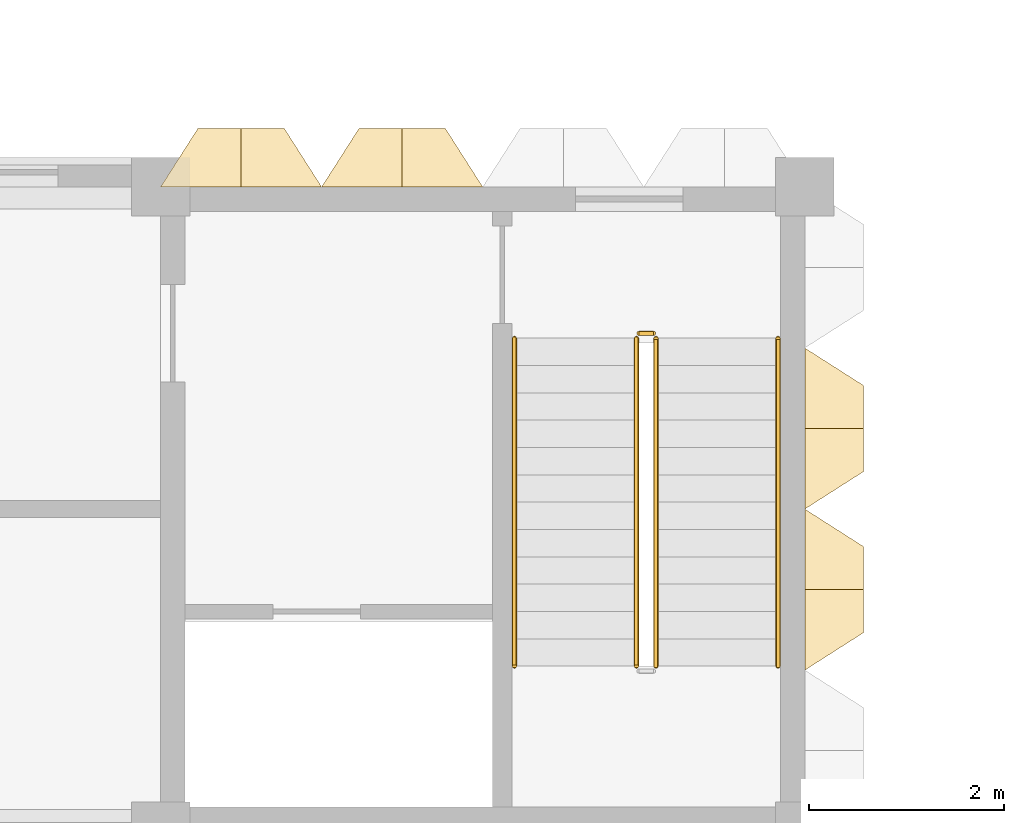
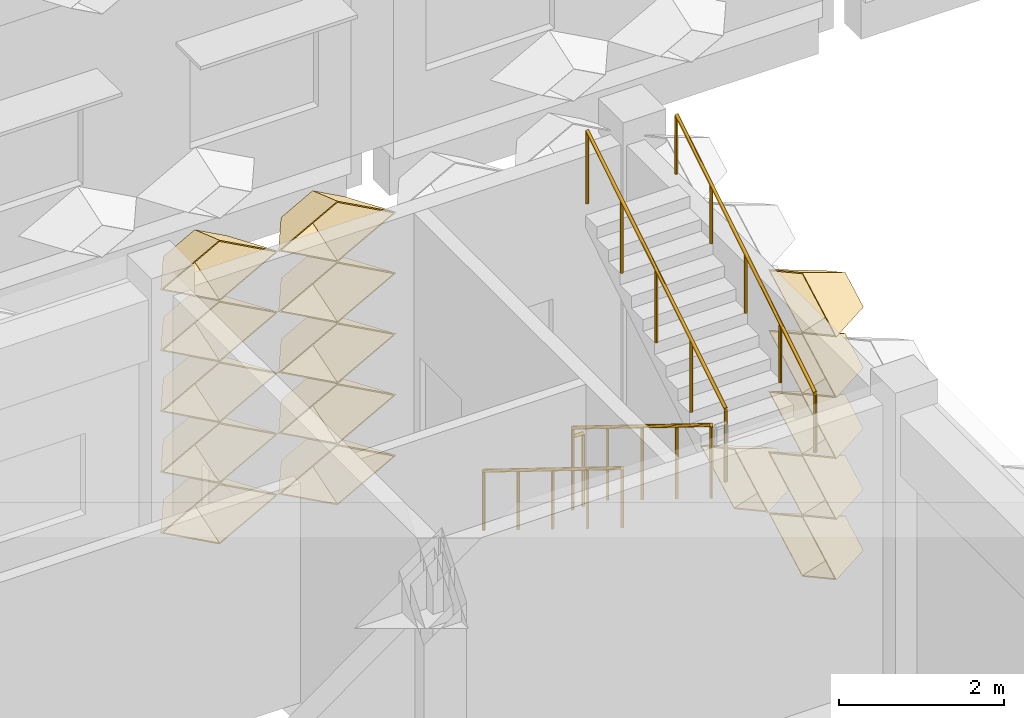
# One storey, part 70 of 87: 16 coverings, 5 railings.
"""IFC4 building model written with IfcOpenShell, lengths in metres."""

from ifc_helpers import new_model, entity, si_unit, direction, frame, origin, origin_2d, place, context, subcontext, project, spatial, circle, extrude, material, layer, layer_set, type_object, element, save


model = new_model("IFC4")

# Units and contexts
model_context = context("Model", 3, precision=1e-05, world=origin(), true_north=direction((0.0, 1.0)))
body_context = subcontext(model_context, "Body", "Model", "MODEL_VIEW")
ifc_project = project(units=[si_unit("LENGTHUNIT", "METRE"), si_unit("AREAUNIT", "SQUARE_METRE"), si_unit("VOLUMEUNIT", "CUBIC_METRE"), si_unit("PLANEANGLEUNIT", "RADIAN"), si_unit("MASSUNIT", "GRAM", prefix="KILO")], contexts=[model_context])

# Site, building, storey
site_placement = place(None, origin())
site = spatial("IfcSite", under=ifc_project, at=site_placement, CompositionType="ELEMENT")
building_placement = place(site_placement, origin())
building = spatial("IfcBuilding", under=site, at=building_placement, Name="Lantern Court Research Institute", CompositionType="ELEMENT")
storey_placement = place(building_placement, frame((0.0, 0.0, 5.39990234375)))
storey = spatial("IfcBuildingStorey", under=building, at=storey_placement, Name="L01", CompositionType="ELEMENT", Elevation=5.39990234375)

# Coverings
ifc_material_1 = material(Name="Anodised aluminium", Category="aluminium")
ifc_layer = layer(ifc_material_1, 0.01611328125)
ifc_layer_set = layer_set([ifc_layer], Name="Anodised aluminium")
covering_type = type_object("IfcCoveringType", Name="Fin cassette 1650 x 900 x 600 aluminium", PredefinedType="CLADDING", material=ifc_layer_set)
covering_1_placement = place(storey_placement, frame((26.39990234375, 71.77490234375, 0.4501953125), z_axis=(1.0, 0.0, 0.0), x_axis=(0.0, 1.0, 0.0)))
cartesian_point_1 = entity("IfcCartesianPoint", [0.824951171875, 0.0])
cartesian_point_2 = entity("IfcCartesianPoint", [0.79150390625, 0.0])
cartesian_point_3 = entity("IfcCartesianPoint", [0.44189453125, 0.0])
cartesian_point_4 = entity("IfcCartesianPoint", [0.43359375, 0.0])
element("IfcCovering", 1, at=covering_1_placement, inside=storey, type_object=covering_type, Name="Fin cassette V3E-L01 1.44", PredefinedType="CLADDING", context=body_context, shape_type="SweptSolid", body=[
    entity("IfcExtrudedAreaSolidTapered", entity("IfcArbitraryProfileDefWithVoids", "AREA", None, entity("IfcPolyline", [cartesian_point_1, entity("IfcCartesianPoint", [0.0, 0.449951171875]), entity("IfcCartesianPoint", [-0.824951171875, 0.0]), entity("IfcCartesianPoint", [0.0, -0.449951171875]), cartesian_point_1]), [entity("IfcPolyline", [cartesian_point_2, entity("IfcCartesianPoint", [0.0, 0.431884765625]), entity("IfcCartesianPoint", [-0.79150390625, 0.0]), entity("IfcCartesianPoint", [0.0, -0.431884765625]), cartesian_point_2])]), entity("IfcAxis2Placement3D", entity("IfcCartesianPoint", [0.0, 0.0, 0.0])), entity("IfcDirection", [0.0, 0.0, 1.0]), 0.60009765625, entity("IfcArbitraryProfileDefWithVoids", "AREA", None, entity("IfcPolyline", [cartesian_point_3, entity("IfcCartesianPoint", [0.0, 0.240966796875]), entity("IfcCartesianPoint", [-0.44189453125, 0.0]), entity("IfcCartesianPoint", [0.0, -0.240966796875]), cartesian_point_3]), [entity("IfcPolyline", [cartesian_point_4, entity("IfcCartesianPoint", [0.0, 0.236572265625]), entity("IfcCartesianPoint", [-0.43359375, 0.0]), entity("IfcCartesianPoint", [0.0, -0.236572265625]), cartesian_point_4])])),
])
covering_2_placement = place(storey_placement, frame((26.39990234375, 73.425048828125, 0.4501953125), z_axis=(1.0, 0.0, 0.0), x_axis=(0.0, 1.0, 0.0)))
cartesian_point_5 = entity("IfcCartesianPoint", [0.824951171875, 0.0])
cartesian_point_6 = entity("IfcCartesianPoint", [0.79150390625, 0.0])
cartesian_point_7 = entity("IfcCartesianPoint", [0.44189453125, 0.0])
cartesian_point_8 = entity("IfcCartesianPoint", [0.43359375, 0.0])
element("IfcCovering", 2, at=covering_2_placement, inside=storey, type_object=covering_type, Name="Fin cassette V3E-L01 1.45", PredefinedType="CLADDING", context=body_context, shape_type="SweptSolid", body=[
    entity("IfcExtrudedAreaSolidTapered", entity("IfcArbitraryProfileDefWithVoids", "AREA", None, entity("IfcPolyline", [cartesian_point_5, entity("IfcCartesianPoint", [0.0, 0.449951171875]), entity("IfcCartesianPoint", [-0.824951171875, 0.0]), entity("IfcCartesianPoint", [0.0, -0.449951171875]), cartesian_point_5]), [entity("IfcPolyline", [cartesian_point_6, entity("IfcCartesianPoint", [0.0, 0.431884765625]), entity("IfcCartesianPoint", [-0.79150390625, 0.0]), entity("IfcCartesianPoint", [0.0, -0.431884765625]), cartesian_point_6])]), entity("IfcAxis2Placement3D", entity("IfcCartesianPoint", [0.0, 0.0, 0.0])), entity("IfcDirection", [0.0, 0.0, 1.0]), 0.60009765625, entity("IfcArbitraryProfileDefWithVoids", "AREA", None, entity("IfcPolyline", [cartesian_point_7, entity("IfcCartesianPoint", [0.0, 0.240966796875]), entity("IfcCartesianPoint", [-0.44189453125, 0.0]), entity("IfcCartesianPoint", [0.0, -0.240966796875]), cartesian_point_7]), [entity("IfcPolyline", [cartesian_point_8, entity("IfcCartesianPoint", [0.0, 0.236572265625]), entity("IfcCartesianPoint", [-0.43359375, 0.0]), entity("IfcCartesianPoint", [0.0, -0.236572265625]), cartesian_point_8])])),
])
covering_3_placement = place(storey_placement, frame((26.39990234375, 71.77490234375, 1.35009765625), z_axis=(1.0, 0.0, 0.0), x_axis=(0.0, 1.0, 0.0)))
cartesian_point_9 = entity("IfcCartesianPoint", [0.824951171875, 0.0])
cartesian_point_10 = entity("IfcCartesianPoint", [0.79150390625, 0.0])
cartesian_point_11 = entity("IfcCartesianPoint", [0.44189453125, 0.0])
cartesian_point_12 = entity("IfcCartesianPoint", [0.43359375, 0.0])
element("IfcCovering", 3, at=covering_3_placement, inside=storey, type_object=covering_type, Name="Fin cassette V3E-L01 2.44", PredefinedType="CLADDING", context=body_context, shape_type="SweptSolid", body=[
    entity("IfcExtrudedAreaSolidTapered", entity("IfcArbitraryProfileDefWithVoids", "AREA", None, entity("IfcPolyline", [cartesian_point_9, entity("IfcCartesianPoint", [0.0, 0.449951171875]), entity("IfcCartesianPoint", [-0.824951171875, 0.0]), entity("IfcCartesianPoint", [0.0, -0.449951171875]), cartesian_point_9]), [entity("IfcPolyline", [cartesian_point_10, entity("IfcCartesianPoint", [0.0, 0.431884765625]), entity("IfcCartesianPoint", [-0.79150390625, 0.0]), entity("IfcCartesianPoint", [0.0, -0.431884765625]), cartesian_point_10])]), entity("IfcAxis2Placement3D", entity("IfcCartesianPoint", [0.0, 0.0, 0.0])), entity("IfcDirection", [0.0, 0.0, 1.0]), 0.60009765625, entity("IfcArbitraryProfileDefWithVoids", "AREA", None, entity("IfcPolyline", [cartesian_point_11, entity("IfcCartesianPoint", [0.0, 0.240966796875]), entity("IfcCartesianPoint", [-0.44189453125, 0.0]), entity("IfcCartesianPoint", [0.0, -0.240966796875]), cartesian_point_11]), [entity("IfcPolyline", [cartesian_point_12, entity("IfcCartesianPoint", [0.0, 0.236572265625]), entity("IfcCartesianPoint", [-0.43359375, 0.0]), entity("IfcCartesianPoint", [0.0, -0.236572265625]), cartesian_point_12])])),
])
covering_4_placement = place(storey_placement, frame((26.39990234375, 71.77490234375, 2.25), z_axis=(1.0, 0.0, 0.0), x_axis=(0.0, 1.0, 0.0)))
cartesian_point_13 = entity("IfcCartesianPoint", [0.824951171875, 0.0])
cartesian_point_14 = entity("IfcCartesianPoint", [0.79150390625, 0.0])
cartesian_point_15 = entity("IfcCartesianPoint", [0.44189453125, 0.0])
cartesian_point_16 = entity("IfcCartesianPoint", [0.43359375, 0.0])
element("IfcCovering", 4, at=covering_4_placement, inside=storey, type_object=covering_type, Name="Fin cassette V3E-L01 3.44", PredefinedType="CLADDING", context=body_context, shape_type="SweptSolid", body=[
    entity("IfcExtrudedAreaSolidTapered", entity("IfcArbitraryProfileDefWithVoids", "AREA", None, entity("IfcPolyline", [cartesian_point_13, entity("IfcCartesianPoint", [0.0, 0.449951171875]), entity("IfcCartesianPoint", [-0.824951171875, 0.0]), entity("IfcCartesianPoint", [0.0, -0.449951171875]), cartesian_point_13]), [entity("IfcPolyline", [cartesian_point_14, entity("IfcCartesianPoint", [0.0, 0.431884765625]), entity("IfcCartesianPoint", [-0.79150390625, 0.0]), entity("IfcCartesianPoint", [0.0, -0.431884765625]), cartesian_point_14])]), entity("IfcAxis2Placement3D", entity("IfcCartesianPoint", [0.0, 0.0, 0.0])), entity("IfcDirection", [0.0, 0.0, 1.0]), 0.60009765625, entity("IfcArbitraryProfileDefWithVoids", "AREA", None, entity("IfcPolyline", [cartesian_point_15, entity("IfcCartesianPoint", [0.0, 0.240966796875]), entity("IfcCartesianPoint", [-0.44189453125, 0.0]), entity("IfcCartesianPoint", [0.0, -0.240966796875]), cartesian_point_15]), [entity("IfcPolyline", [cartesian_point_16, entity("IfcCartesianPoint", [0.0, 0.236572265625]), entity("IfcCartesianPoint", [-0.43359375, 0.0]), entity("IfcCartesianPoint", [0.0, -0.236572265625]), cartesian_point_16])])),
])
covering_5_placement = place(storey_placement, frame((26.39990234375, 71.77490234375, 3.150146484375), z_axis=(1.0, 0.0, 0.0), x_axis=(0.0, 1.0, 0.0)))
cartesian_point_17 = entity("IfcCartesianPoint", [0.824951171875, 0.0])
cartesian_point_18 = entity("IfcCartesianPoint", [0.79150390625, 0.0])
cartesian_point_19 = entity("IfcCartesianPoint", [0.44189453125, 0.0])
cartesian_point_20 = entity("IfcCartesianPoint", [0.43359375, 0.0])
element("IfcCovering", 5, at=covering_5_placement, inside=storey, type_object=covering_type, Name="Fin cassette V3E-L01 4.44", PredefinedType="CLADDING", context=body_context, shape_type="SweptSolid", body=[
    entity("IfcExtrudedAreaSolidTapered", entity("IfcArbitraryProfileDefWithVoids", "AREA", None, entity("IfcPolyline", [cartesian_point_17, entity("IfcCartesianPoint", [0.0, 0.449951171875]), entity("IfcCartesianPoint", [-0.824951171875, 0.0]), entity("IfcCartesianPoint", [0.0, -0.449951171875]), cartesian_point_17]), [entity("IfcPolyline", [cartesian_point_18, entity("IfcCartesianPoint", [0.0, 0.431884765625]), entity("IfcCartesianPoint", [-0.79150390625, 0.0]), entity("IfcCartesianPoint", [0.0, -0.431884765625]), cartesian_point_18])]), entity("IfcAxis2Placement3D", entity("IfcCartesianPoint", [0.0, 0.0, 0.0])), entity("IfcDirection", [0.0, 0.0, 1.0]), 0.60009765625, entity("IfcArbitraryProfileDefWithVoids", "AREA", None, entity("IfcPolyline", [cartesian_point_19, entity("IfcCartesianPoint", [0.0, 0.240966796875]), entity("IfcCartesianPoint", [-0.44189453125, 0.0]), entity("IfcCartesianPoint", [0.0, -0.240966796875]), cartesian_point_19]), [entity("IfcPolyline", [cartesian_point_20, entity("IfcCartesianPoint", [0.0, 0.236572265625]), entity("IfcCartesianPoint", [-0.43359375, 0.0]), entity("IfcCartesianPoint", [0.0, -0.236572265625]), cartesian_point_20])])),
])
covering_6_placement = place(storey_placement, frame((26.39990234375, 71.77490234375, 4.050048828125), z_axis=(1.0, 0.0, 0.0), x_axis=(0.0, 1.0, 0.0)))
cartesian_point_21 = entity("IfcCartesianPoint", [0.824951171875, 0.0])
cartesian_point_22 = entity("IfcCartesianPoint", [0.79150390625, 0.0])
cartesian_point_23 = entity("IfcCartesianPoint", [0.44189453125, 0.0])
cartesian_point_24 = entity("IfcCartesianPoint", [0.43359375, 0.0])
element("IfcCovering", 6, at=covering_6_placement, inside=storey, type_object=covering_type, Name="Fin cassette V3E-L01 5.44", PredefinedType="CLADDING", context=body_context, shape_type="SweptSolid", body=[
    entity("IfcExtrudedAreaSolidTapered", entity("IfcArbitraryProfileDefWithVoids", "AREA", None, entity("IfcPolyline", [cartesian_point_21, entity("IfcCartesianPoint", [0.0, 0.449951171875]), entity("IfcCartesianPoint", [-0.824951171875, 0.0]), entity("IfcCartesianPoint", [0.0, -0.449951171875]), cartesian_point_21]), [entity("IfcPolyline", [cartesian_point_22, entity("IfcCartesianPoint", [0.0, 0.431884765625]), entity("IfcCartesianPoint", [-0.79150390625, 0.0]), entity("IfcCartesianPoint", [0.0, -0.431884765625]), cartesian_point_22])]), entity("IfcAxis2Placement3D", entity("IfcCartesianPoint", [0.0, 0.0, 0.0])), entity("IfcDirection", [0.0, 0.0, 1.0]), 0.60009765625, entity("IfcArbitraryProfileDefWithVoids", "AREA", None, entity("IfcPolyline", [cartesian_point_23, entity("IfcCartesianPoint", [0.0, 0.240966796875]), entity("IfcCartesianPoint", [-0.44189453125, 0.0]), entity("IfcCartesianPoint", [0.0, -0.240966796875]), cartesian_point_23]), [entity("IfcPolyline", [cartesian_point_24, entity("IfcCartesianPoint", [0.0, 0.236572265625]), entity("IfcCartesianPoint", [-0.43359375, 0.0]), entity("IfcCartesianPoint", [0.0, -0.236572265625]), cartesian_point_24])])),
])
covering_7_placement = place(storey_placement, frame((20.625, 75.89990234375, 0.4501953125), z_axis=(0.0, 1.0, 0.0), x_axis=(-1.0, 0.0, 0.0)))
cartesian_point_25 = entity("IfcCartesianPoint", [0.824951171875, 0.0])
cartesian_point_26 = entity("IfcCartesianPoint", [0.79150390625, 0.0])
cartesian_point_27 = entity("IfcCartesianPoint", [0.44189453125, 0.0])
cartesian_point_28 = entity("IfcCartesianPoint", [0.43359375, 0.0])
element("IfcCovering", 7, at=covering_7_placement, inside=storey, type_object=covering_type, Name="Fin cassette V3N-L01 1.13", PredefinedType="CLADDING", context=body_context, shape_type="SweptSolid", body=[
    entity("IfcExtrudedAreaSolidTapered", entity("IfcArbitraryProfileDefWithVoids", "AREA", None, entity("IfcPolyline", [cartesian_point_25, entity("IfcCartesianPoint", [0.0, 0.449951171875]), entity("IfcCartesianPoint", [-0.824951171875, 0.0]), entity("IfcCartesianPoint", [0.0, -0.449951171875]), cartesian_point_25]), [entity("IfcPolyline", [cartesian_point_26, entity("IfcCartesianPoint", [0.0, 0.431884765625]), entity("IfcCartesianPoint", [-0.79150390625, 0.0]), entity("IfcCartesianPoint", [0.0, -0.431884765625]), cartesian_point_26])]), entity("IfcAxis2Placement3D", entity("IfcCartesianPoint", [0.0, 0.0, 0.0])), entity("IfcDirection", [0.0, 0.0, 1.0]), 0.60009765625, entity("IfcArbitraryProfileDefWithVoids", "AREA", None, entity("IfcPolyline", [cartesian_point_27, entity("IfcCartesianPoint", [0.0, 0.240966796875]), entity("IfcCartesianPoint", [-0.44189453125, 0.0]), entity("IfcCartesianPoint", [0.0, -0.240966796875]), cartesian_point_27]), [entity("IfcPolyline", [cartesian_point_28, entity("IfcCartesianPoint", [0.0, 0.236572265625]), entity("IfcCartesianPoint", [-0.43359375, 0.0]), entity("IfcCartesianPoint", [0.0, -0.236572265625]), cartesian_point_28])])),
])
covering_8_placement = place(storey_placement, frame((22.27490234375, 75.89990234375, 0.4501953125), z_axis=(0.0, 1.0, 0.0), x_axis=(-1.0, 0.0, 0.0)))
cartesian_point_29 = entity("IfcCartesianPoint", [0.824951171875, 0.0])
cartesian_point_30 = entity("IfcCartesianPoint", [0.79150390625, 0.0])
cartesian_point_31 = entity("IfcCartesianPoint", [0.44189453125, 0.0])
cartesian_point_32 = entity("IfcCartesianPoint", [0.43359375, 0.0])
element("IfcCovering", 8, at=covering_8_placement, inside=storey, type_object=covering_type, Name="Fin cassette V3N-L01 1.14", PredefinedType="CLADDING", context=body_context, shape_type="SweptSolid", body=[
    entity("IfcExtrudedAreaSolidTapered", entity("IfcArbitraryProfileDefWithVoids", "AREA", None, entity("IfcPolyline", [cartesian_point_29, entity("IfcCartesianPoint", [0.0, 0.449951171875]), entity("IfcCartesianPoint", [-0.824951171875, 0.0]), entity("IfcCartesianPoint", [0.0, -0.449951171875]), cartesian_point_29]), [entity("IfcPolyline", [cartesian_point_30, entity("IfcCartesianPoint", [0.0, 0.431884765625]), entity("IfcCartesianPoint", [-0.79150390625, 0.0]), entity("IfcCartesianPoint", [0.0, -0.431884765625]), cartesian_point_30])]), entity("IfcAxis2Placement3D", entity("IfcCartesianPoint", [0.0, 0.0, 0.0])), entity("IfcDirection", [0.0, 0.0, 1.0]), 0.60009765625, entity("IfcArbitraryProfileDefWithVoids", "AREA", None, entity("IfcPolyline", [cartesian_point_31, entity("IfcCartesianPoint", [0.0, 0.240966796875]), entity("IfcCartesianPoint", [-0.44189453125, 0.0]), entity("IfcCartesianPoint", [0.0, -0.240966796875]), cartesian_point_31]), [entity("IfcPolyline", [cartesian_point_32, entity("IfcCartesianPoint", [0.0, 0.236572265625]), entity("IfcCartesianPoint", [-0.43359375, 0.0]), entity("IfcCartesianPoint", [0.0, -0.236572265625]), cartesian_point_32])])),
])
covering_9_placement = place(storey_placement, frame((20.625, 75.89990234375, 1.35009765625), z_axis=(0.0, 1.0, 0.0), x_axis=(-1.0, 0.0, 0.0)))
cartesian_point_33 = entity("IfcCartesianPoint", [0.824951171875, 0.0])
cartesian_point_34 = entity("IfcCartesianPoint", [0.79150390625, 0.0])
cartesian_point_35 = entity("IfcCartesianPoint", [0.44189453125, 0.0])
cartesian_point_36 = entity("IfcCartesianPoint", [0.43359375, 0.0])
element("IfcCovering", 9, at=covering_9_placement, inside=storey, type_object=covering_type, Name="Fin cassette V3N-L01 2.13", PredefinedType="CLADDING", context=body_context, shape_type="SweptSolid", body=[
    entity("IfcExtrudedAreaSolidTapered", entity("IfcArbitraryProfileDefWithVoids", "AREA", None, entity("IfcPolyline", [cartesian_point_33, entity("IfcCartesianPoint", [0.0, 0.449951171875]), entity("IfcCartesianPoint", [-0.824951171875, 0.0]), entity("IfcCartesianPoint", [0.0, -0.449951171875]), cartesian_point_33]), [entity("IfcPolyline", [cartesian_point_34, entity("IfcCartesianPoint", [0.0, 0.431884765625]), entity("IfcCartesianPoint", [-0.79150390625, 0.0]), entity("IfcCartesianPoint", [0.0, -0.431884765625]), cartesian_point_34])]), entity("IfcAxis2Placement3D", entity("IfcCartesianPoint", [0.0, 0.0, 0.0])), entity("IfcDirection", [0.0, 0.0, 1.0]), 0.60009765625, entity("IfcArbitraryProfileDefWithVoids", "AREA", None, entity("IfcPolyline", [cartesian_point_35, entity("IfcCartesianPoint", [0.0, 0.240966796875]), entity("IfcCartesianPoint", [-0.44189453125, 0.0]), entity("IfcCartesianPoint", [0.0, -0.240966796875]), cartesian_point_35]), [entity("IfcPolyline", [cartesian_point_36, entity("IfcCartesianPoint", [0.0, 0.236572265625]), entity("IfcCartesianPoint", [-0.43359375, 0.0]), entity("IfcCartesianPoint", [0.0, -0.236572265625]), cartesian_point_36])])),
])
covering_10_placement = place(storey_placement, frame((22.27490234375, 75.89990234375, 1.35009765625), z_axis=(0.0, 1.0, 0.0), x_axis=(-1.0, 0.0, 0.0)))
cartesian_point_37 = entity("IfcCartesianPoint", [0.824951171875, 0.0])
cartesian_point_38 = entity("IfcCartesianPoint", [0.79150390625, 0.0])
cartesian_point_39 = entity("IfcCartesianPoint", [0.44189453125, 0.0])
cartesian_point_40 = entity("IfcCartesianPoint", [0.43359375, 0.0])
element("IfcCovering", 10, at=covering_10_placement, inside=storey, type_object=covering_type, Name="Fin cassette V3N-L01 2.14", PredefinedType="CLADDING", context=body_context, shape_type="SweptSolid", body=[
    entity("IfcExtrudedAreaSolidTapered", entity("IfcArbitraryProfileDefWithVoids", "AREA", None, entity("IfcPolyline", [cartesian_point_37, entity("IfcCartesianPoint", [0.0, 0.449951171875]), entity("IfcCartesianPoint", [-0.824951171875, 0.0]), entity("IfcCartesianPoint", [0.0, -0.449951171875]), cartesian_point_37]), [entity("IfcPolyline", [cartesian_point_38, entity("IfcCartesianPoint", [0.0, 0.431884765625]), entity("IfcCartesianPoint", [-0.79150390625, 0.0]), entity("IfcCartesianPoint", [0.0, -0.431884765625]), cartesian_point_38])]), entity("IfcAxis2Placement3D", entity("IfcCartesianPoint", [0.0, 0.0, 0.0])), entity("IfcDirection", [0.0, 0.0, 1.0]), 0.60009765625, entity("IfcArbitraryProfileDefWithVoids", "AREA", None, entity("IfcPolyline", [cartesian_point_39, entity("IfcCartesianPoint", [0.0, 0.240966796875]), entity("IfcCartesianPoint", [-0.44189453125, 0.0]), entity("IfcCartesianPoint", [0.0, -0.240966796875]), cartesian_point_39]), [entity("IfcPolyline", [cartesian_point_40, entity("IfcCartesianPoint", [0.0, 0.236572265625]), entity("IfcCartesianPoint", [-0.43359375, 0.0]), entity("IfcCartesianPoint", [0.0, -0.236572265625]), cartesian_point_40])])),
])
covering_11_placement = place(storey_placement, frame((20.625, 75.89990234375, 2.25), z_axis=(0.0, 1.0, 0.0), x_axis=(-1.0, 0.0, 0.0)))
cartesian_point_41 = entity("IfcCartesianPoint", [0.824951171875, 0.0])
cartesian_point_42 = entity("IfcCartesianPoint", [0.79150390625, 0.0])
cartesian_point_43 = entity("IfcCartesianPoint", [0.44189453125, 0.0])
cartesian_point_44 = entity("IfcCartesianPoint", [0.43359375, 0.0])
element("IfcCovering", 11, at=covering_11_placement, inside=storey, type_object=covering_type, Name="Fin cassette V3N-L01 3.13", PredefinedType="CLADDING", context=body_context, shape_type="SweptSolid", body=[
    entity("IfcExtrudedAreaSolidTapered", entity("IfcArbitraryProfileDefWithVoids", "AREA", None, entity("IfcPolyline", [cartesian_point_41, entity("IfcCartesianPoint", [0.0, 0.449951171875]), entity("IfcCartesianPoint", [-0.824951171875, 0.0]), entity("IfcCartesianPoint", [0.0, -0.449951171875]), cartesian_point_41]), [entity("IfcPolyline", [cartesian_point_42, entity("IfcCartesianPoint", [0.0, 0.431884765625]), entity("IfcCartesianPoint", [-0.79150390625, 0.0]), entity("IfcCartesianPoint", [0.0, -0.431884765625]), cartesian_point_42])]), entity("IfcAxis2Placement3D", entity("IfcCartesianPoint", [0.0, 0.0, 0.0])), entity("IfcDirection", [0.0, 0.0, 1.0]), 0.60009765625, entity("IfcArbitraryProfileDefWithVoids", "AREA", None, entity("IfcPolyline", [cartesian_point_43, entity("IfcCartesianPoint", [0.0, 0.240966796875]), entity("IfcCartesianPoint", [-0.44189453125, 0.0]), entity("IfcCartesianPoint", [0.0, -0.240966796875]), cartesian_point_43]), [entity("IfcPolyline", [cartesian_point_44, entity("IfcCartesianPoint", [0.0, 0.236572265625]), entity("IfcCartesianPoint", [-0.43359375, 0.0]), entity("IfcCartesianPoint", [0.0, -0.236572265625]), cartesian_point_44])])),
])
covering_12_placement = place(storey_placement, frame((22.27490234375, 75.89990234375, 2.25), z_axis=(0.0, 1.0, 0.0), x_axis=(-1.0, 0.0, 0.0)))
cartesian_point_45 = entity("IfcCartesianPoint", [0.824951171875, 0.0])
cartesian_point_46 = entity("IfcCartesianPoint", [0.79150390625, 0.0])
cartesian_point_47 = entity("IfcCartesianPoint", [0.44189453125, 0.0])
cartesian_point_48 = entity("IfcCartesianPoint", [0.43359375, 0.0])
element("IfcCovering", 12, at=covering_12_placement, inside=storey, type_object=covering_type, Name="Fin cassette V3N-L01 3.14", PredefinedType="CLADDING", context=body_context, shape_type="SweptSolid", body=[
    entity("IfcExtrudedAreaSolidTapered", entity("IfcArbitraryProfileDefWithVoids", "AREA", None, entity("IfcPolyline", [cartesian_point_45, entity("IfcCartesianPoint", [0.0, 0.449951171875]), entity("IfcCartesianPoint", [-0.824951171875, 0.0]), entity("IfcCartesianPoint", [0.0, -0.449951171875]), cartesian_point_45]), [entity("IfcPolyline", [cartesian_point_46, entity("IfcCartesianPoint", [0.0, 0.431884765625]), entity("IfcCartesianPoint", [-0.79150390625, 0.0]), entity("IfcCartesianPoint", [0.0, -0.431884765625]), cartesian_point_46])]), entity("IfcAxis2Placement3D", entity("IfcCartesianPoint", [0.0, 0.0, 0.0])), entity("IfcDirection", [0.0, 0.0, 1.0]), 0.60009765625, entity("IfcArbitraryProfileDefWithVoids", "AREA", None, entity("IfcPolyline", [cartesian_point_47, entity("IfcCartesianPoint", [0.0, 0.240966796875]), entity("IfcCartesianPoint", [-0.44189453125, 0.0]), entity("IfcCartesianPoint", [0.0, -0.240966796875]), cartesian_point_47]), [entity("IfcPolyline", [cartesian_point_48, entity("IfcCartesianPoint", [0.0, 0.236572265625]), entity("IfcCartesianPoint", [-0.43359375, 0.0]), entity("IfcCartesianPoint", [0.0, -0.236572265625]), cartesian_point_48])])),
])
covering_13_placement = place(storey_placement, frame((20.625, 75.89990234375, 3.150146484375), z_axis=(0.0, 1.0, 0.0), x_axis=(-1.0, 0.0, 0.0)))
cartesian_point_49 = entity("IfcCartesianPoint", [0.824951171875, 0.0])
cartesian_point_50 = entity("IfcCartesianPoint", [0.79150390625, 0.0])
cartesian_point_51 = entity("IfcCartesianPoint", [0.44189453125, 0.0])
cartesian_point_52 = entity("IfcCartesianPoint", [0.43359375, 0.0])
element("IfcCovering", 13, at=covering_13_placement, inside=storey, type_object=covering_type, Name="Fin cassette V3N-L01 4.13", PredefinedType="CLADDING", context=body_context, shape_type="SweptSolid", body=[
    entity("IfcExtrudedAreaSolidTapered", entity("IfcArbitraryProfileDefWithVoids", "AREA", None, entity("IfcPolyline", [cartesian_point_49, entity("IfcCartesianPoint", [0.0, 0.449951171875]), entity("IfcCartesianPoint", [-0.824951171875, 0.0]), entity("IfcCartesianPoint", [0.0, -0.449951171875]), cartesian_point_49]), [entity("IfcPolyline", [cartesian_point_50, entity("IfcCartesianPoint", [0.0, 0.431884765625]), entity("IfcCartesianPoint", [-0.79150390625, 0.0]), entity("IfcCartesianPoint", [0.0, -0.431884765625]), cartesian_point_50])]), entity("IfcAxis2Placement3D", entity("IfcCartesianPoint", [0.0, 0.0, 0.0])), entity("IfcDirection", [0.0, 0.0, 1.0]), 0.60009765625, entity("IfcArbitraryProfileDefWithVoids", "AREA", None, entity("IfcPolyline", [cartesian_point_51, entity("IfcCartesianPoint", [0.0, 0.240966796875]), entity("IfcCartesianPoint", [-0.44189453125, 0.0]), entity("IfcCartesianPoint", [0.0, -0.240966796875]), cartesian_point_51]), [entity("IfcPolyline", [cartesian_point_52, entity("IfcCartesianPoint", [0.0, 0.236572265625]), entity("IfcCartesianPoint", [-0.43359375, 0.0]), entity("IfcCartesianPoint", [0.0, -0.236572265625]), cartesian_point_52])])),
])
covering_14_placement = place(storey_placement, frame((22.27490234375, 75.89990234375, 3.150146484375), z_axis=(0.0, 1.0, 0.0), x_axis=(-1.0, 0.0, 0.0)))
cartesian_point_53 = entity("IfcCartesianPoint", [0.824951171875, 0.0])
cartesian_point_54 = entity("IfcCartesianPoint", [0.79150390625, 0.0])
cartesian_point_55 = entity("IfcCartesianPoint", [0.44189453125, 0.0])
cartesian_point_56 = entity("IfcCartesianPoint", [0.43359375, 0.0])
element("IfcCovering", 14, at=covering_14_placement, inside=storey, type_object=covering_type, Name="Fin cassette V3N-L01 4.14", PredefinedType="CLADDING", context=body_context, shape_type="SweptSolid", body=[
    entity("IfcExtrudedAreaSolidTapered", entity("IfcArbitraryProfileDefWithVoids", "AREA", None, entity("IfcPolyline", [cartesian_point_53, entity("IfcCartesianPoint", [0.0, 0.449951171875]), entity("IfcCartesianPoint", [-0.824951171875, 0.0]), entity("IfcCartesianPoint", [0.0, -0.449951171875]), cartesian_point_53]), [entity("IfcPolyline", [cartesian_point_54, entity("IfcCartesianPoint", [0.0, 0.431884765625]), entity("IfcCartesianPoint", [-0.79150390625, 0.0]), entity("IfcCartesianPoint", [0.0, -0.431884765625]), cartesian_point_54])]), entity("IfcAxis2Placement3D", entity("IfcCartesianPoint", [0.0, 0.0, 0.0])), entity("IfcDirection", [0.0, 0.0, 1.0]), 0.60009765625, entity("IfcArbitraryProfileDefWithVoids", "AREA", None, entity("IfcPolyline", [cartesian_point_55, entity("IfcCartesianPoint", [0.0, 0.240966796875]), entity("IfcCartesianPoint", [-0.44189453125, 0.0]), entity("IfcCartesianPoint", [0.0, -0.240966796875]), cartesian_point_55]), [entity("IfcPolyline", [cartesian_point_56, entity("IfcCartesianPoint", [0.0, 0.236572265625]), entity("IfcCartesianPoint", [-0.43359375, 0.0]), entity("IfcCartesianPoint", [0.0, -0.236572265625]), cartesian_point_56])])),
])
covering_15_placement = place(storey_placement, frame((20.625, 75.89990234375, 4.050048828125), z_axis=(0.0, 1.0, 0.0), x_axis=(-1.0, 0.0, 0.0)))
cartesian_point_57 = entity("IfcCartesianPoint", [0.824951171875, 0.0])
cartesian_point_58 = entity("IfcCartesianPoint", [0.79150390625, 0.0])
cartesian_point_59 = entity("IfcCartesianPoint", [0.44189453125, 0.0])
cartesian_point_60 = entity("IfcCartesianPoint", [0.43359375, 0.0])
element("IfcCovering", 15, at=covering_15_placement, inside=storey, type_object=covering_type, Name="Fin cassette V3N-L01 5.13", PredefinedType="CLADDING", context=body_context, shape_type="SweptSolid", body=[
    entity("IfcExtrudedAreaSolidTapered", entity("IfcArbitraryProfileDefWithVoids", "AREA", None, entity("IfcPolyline", [cartesian_point_57, entity("IfcCartesianPoint", [0.0, 0.449951171875]), entity("IfcCartesianPoint", [-0.824951171875, 0.0]), entity("IfcCartesianPoint", [0.0, -0.449951171875]), cartesian_point_57]), [entity("IfcPolyline", [cartesian_point_58, entity("IfcCartesianPoint", [0.0, 0.431884765625]), entity("IfcCartesianPoint", [-0.79150390625, 0.0]), entity("IfcCartesianPoint", [0.0, -0.431884765625]), cartesian_point_58])]), entity("IfcAxis2Placement3D", entity("IfcCartesianPoint", [0.0, 0.0, 0.0])), entity("IfcDirection", [0.0, 0.0, 1.0]), 0.60009765625, entity("IfcArbitraryProfileDefWithVoids", "AREA", None, entity("IfcPolyline", [cartesian_point_59, entity("IfcCartesianPoint", [0.0, 0.240966796875]), entity("IfcCartesianPoint", [-0.44189453125, 0.0]), entity("IfcCartesianPoint", [0.0, -0.240966796875]), cartesian_point_59]), [entity("IfcPolyline", [cartesian_point_60, entity("IfcCartesianPoint", [0.0, 0.236572265625]), entity("IfcCartesianPoint", [-0.43359375, 0.0]), entity("IfcCartesianPoint", [0.0, -0.236572265625]), cartesian_point_60])])),
])
covering_16_placement = place(storey_placement, frame((22.27490234375, 75.89990234375, 4.050048828125), z_axis=(0.0, 1.0, 0.0), x_axis=(-1.0, 0.0, 0.0)))
cartesian_point_61 = entity("IfcCartesianPoint", [0.824951171875, 0.0])
cartesian_point_62 = entity("IfcCartesianPoint", [0.79150390625, 0.0])
cartesian_point_63 = entity("IfcCartesianPoint", [0.44189453125, 0.0])
cartesian_point_64 = entity("IfcCartesianPoint", [0.43359375, 0.0])
element("IfcCovering", 16, at=covering_16_placement, inside=storey, type_object=covering_type, Name="Fin cassette V3N-L01 5.14", PredefinedType="CLADDING", context=body_context, shape_type="SweptSolid", body=[
    entity("IfcExtrudedAreaSolidTapered", entity("IfcArbitraryProfileDefWithVoids", "AREA", None, entity("IfcPolyline", [cartesian_point_61, entity("IfcCartesianPoint", [0.0, 0.449951171875]), entity("IfcCartesianPoint", [-0.824951171875, 0.0]), entity("IfcCartesianPoint", [0.0, -0.449951171875]), cartesian_point_61]), [entity("IfcPolyline", [cartesian_point_62, entity("IfcCartesianPoint", [0.0, 0.431884765625]), entity("IfcCartesianPoint", [-0.79150390625, 0.0]), entity("IfcCartesianPoint", [0.0, -0.431884765625]), cartesian_point_62])]), entity("IfcAxis2Placement3D", entity("IfcCartesianPoint", [0.0, 0.0, 0.0])), entity("IfcDirection", [0.0, 0.0, 1.0]), 0.60009765625, entity("IfcArbitraryProfileDefWithVoids", "AREA", None, entity("IfcPolyline", [cartesian_point_63, entity("IfcCartesianPoint", [0.0, 0.240966796875]), entity("IfcCartesianPoint", [-0.44189453125, 0.0]), entity("IfcCartesianPoint", [0.0, -0.240966796875]), cartesian_point_63]), [entity("IfcPolyline", [cartesian_point_64, entity("IfcCartesianPoint", [0.0, 0.236572265625]), entity("IfcCartesianPoint", [-0.43359375, 0.0]), entity("IfcCartesianPoint", [0.0, -0.236572265625]), cartesian_point_64])])),
])

# Railings
ifc_material_2 = material(Name="Structural steel S355", Category="steel")
railing_type_1 = type_object("IfcRailingType", Name="Stair guard 1100 steel", PredefinedType="GUARDRAIL", material=ifc_material_2)
railing_1_placement = place(storey_placement, frame((24.675048828125, 74.35009765625, 0.173095703125)))
element("IfcRailing", 17, at=railing_1_placement, inside=storey, type_object=railing_type_1, Name="L01 ST-C2 stair guard 1", PredefinedType="GUARDRAIL", context=body_context, shape_type="SweptSolid", body=[
    extrude(circle(Radius=0.02392578125, at=origin_2d()), frame((0.0, 0.0, 1.076171875), z_axis=(0.0, -0.850623216509, 0.525775754039), x_axis=(1.0, 0.0, 0.0)), (0.0, 0.0, 1.0), 3.9501953125),
    extrude(circle(Radius=0.02099609375, at=origin_2d()), origin(), (0.0, 0.0, 1.0), 1.052001953125),
    extrude(circle(Radius=0.02099609375, at=origin_2d()), frame((0.0, -0.840087890625, 0.519287109375)), (0.0, 0.0, 1.0), 1.052001953125),
    extrude(circle(Radius=0.02099609375, at=origin_2d()), frame((0.0, -1.68017578125, 1.03857421875)), (0.0, 0.0, 1.0), 1.052001953125),
    extrude(circle(Radius=0.02099609375, at=origin_2d()), frame((0.0, -2.52001953125, 1.5576171875)), (0.0, 0.0, 1.0), 1.052001953125),
    extrude(circle(Radius=0.02099609375, at=origin_2d()), frame((0.0, -3.360107421875, 2.076904296875)), (0.0, 0.0, 1.0), 1.052001953125),
])
railing_2_placement = place(storey_placement, frame((24.875, 70.989990234375, 2.423095703125)))
element("IfcRailing", 18, at=railing_2_placement, inside=storey, type_object=railing_type_1, Name="L01 ST-C2 stair guard 3", PredefinedType="GUARDRAIL", context=body_context, shape_type="SweptSolid", body=[
    extrude(circle(Radius=0.02392578125, at=origin_2d()), frame((0.0, 0.0, 1.076171875), z_axis=(0.0, 0.850623216509, 0.525775754039), x_axis=(-1.0, 0.0, 0.0)), (0.0, 0.0, 1.0), 3.9501953125),
    extrude(circle(Radius=0.02099609375, at=origin_2d()), origin(), (0.0, 0.0, 1.0), 1.052001953125),
    extrude(circle(Radius=0.02099609375, at=origin_2d()), frame((0.0, 0.840087890625, 0.519287109375)), (0.0, 0.0, 1.0), 1.052001953125),
    extrude(circle(Radius=0.02099609375, at=origin_2d()), frame((0.0, 1.68017578125, 1.03857421875)), (0.0, 0.0, 1.0), 1.052001953125),
    extrude(circle(Radius=0.02099609375, at=origin_2d()), frame((0.0, 2.52001953125, 1.5576171875)), (0.0, 0.0, 1.0), 1.052001953125),
    extrude(circle(Radius=0.02099609375, at=origin_2d()), frame((0.0, 3.360107421875, 2.076904296875)), (0.0, 0.0, 1.0), 1.052001953125),
])
railing_3_placement = place(storey_placement, frame((24.699951171875, 74.39990234375, 0.0)))
element("IfcRailing", 19, at=railing_3_placement, inside=storey, type_object=railing_type_1, Name="L01 ST-C2 stair guard 4", PredefinedType="GUARDRAIL", context=body_context, shape_type="SweptSolid", body=[
    extrude(circle(Radius=0.02392578125, at=origin_2d()), frame((0.0, 0.0, 1.076171875), z_axis=(1.0, 0.0, 0.0), x_axis=(0.0, 1.0, 0.0)), (0.0, 0.0, 1.0), 0.150146484375),
    extrude(circle(Radius=0.02099609375, at=origin_2d()), origin(), (0.0, 0.0, 1.0), 1.052001953125),
    extrude(circle(Radius=0.02099609375, at=origin_2d()), frame((0.150146484375, 0.0, 0.0)), (0.0, 0.0, 1.0), 1.052001953125),
])
ifc_material_3 = material(Name="Stainless steel 316", Category="steel")
railing_type_2 = type_object("IfcRailingType", Name="Stair handrail 900 steel", PredefinedType="HANDRAIL", material=ifc_material_3)
railing_4_placement = place(storey_placement, frame((23.425048828125, 74.35009765625, 0.173095703125)))
element("IfcRailing", 20, at=railing_4_placement, inside=storey, type_object=railing_type_2, Name="L01 ST-C2 stair handrail 1", PredefinedType="HANDRAIL", context=body_context, shape_type="SweptSolid", body=[
    extrude(circle(Radius=0.02392578125, at=origin_2d()), frame((0.0, 0.0, 0.8759765625), z_axis=(0.0, -0.850623216509, 0.525775754039), x_axis=(1.0, 0.0, 0.0)), (0.0, 0.0, 1.0), 3.9501953125),
    extrude(circle(Radius=0.02099609375, at=origin_2d()), origin(), (0.0, 0.0, 1.0), 0.851806640625),
    extrude(circle(Radius=0.02099609375, at=origin_2d()), frame((0.0, -0.840087890625, 0.519287109375)), (0.0, 0.0, 1.0), 0.851806640625),
    extrude(circle(Radius=0.02099609375, at=origin_2d()), frame((0.0, -1.68017578125, 1.03857421875)), (0.0, 0.0, 1.0), 0.851806640625),
    extrude(circle(Radius=0.02099609375, at=origin_2d()), frame((0.0, -2.52001953125, 1.5576171875)), (0.0, 0.0, 1.0), 0.851806640625),
    extrude(circle(Radius=0.02099609375, at=origin_2d()), frame((0.0, -3.360107421875, 2.076904296875)), (0.0, 0.0, 1.0), 0.851806640625),
])
railing_5_placement = place(storey_placement, frame((26.125, 70.989990234375, 2.423095703125)))
element("IfcRailing", 21, at=railing_5_placement, inside=storey, type_object=railing_type_2, Name="L01 ST-C2 stair handrail 2", PredefinedType="HANDRAIL", context=body_context, shape_type="SweptSolid", body=[
    extrude(circle(Radius=0.02392578125, at=origin_2d()), frame((0.0, 0.0, 0.8759765625), z_axis=(0.0, 0.850623216509, 0.525775754039), x_axis=(-1.0, 0.0, 0.0)), (0.0, 0.0, 1.0), 3.9501953125),
    extrude(circle(Radius=0.02099609375, at=origin_2d()), origin(), (0.0, 0.0, 1.0), 0.851806640625),
    extrude(circle(Radius=0.02099609375, at=origin_2d()), frame((0.0, 0.840087890625, 0.519287109375)), (0.0, 0.0, 1.0), 0.851806640625),
    extrude(circle(Radius=0.02099609375, at=origin_2d()), frame((0.0, 1.68017578125, 1.03857421875)), (0.0, 0.0, 1.0), 0.851806640625),
    extrude(circle(Radius=0.02099609375, at=origin_2d()), frame((0.0, 2.52001953125, 1.5576171875)), (0.0, 0.0, 1.0), 0.851806640625),
    extrude(circle(Radius=0.02099609375, at=origin_2d()), frame((0.0, 3.360107421875, 2.076904296875)), (0.0, 0.0, 1.0), 0.851806640625),
])

save(model, "model.ifc")
